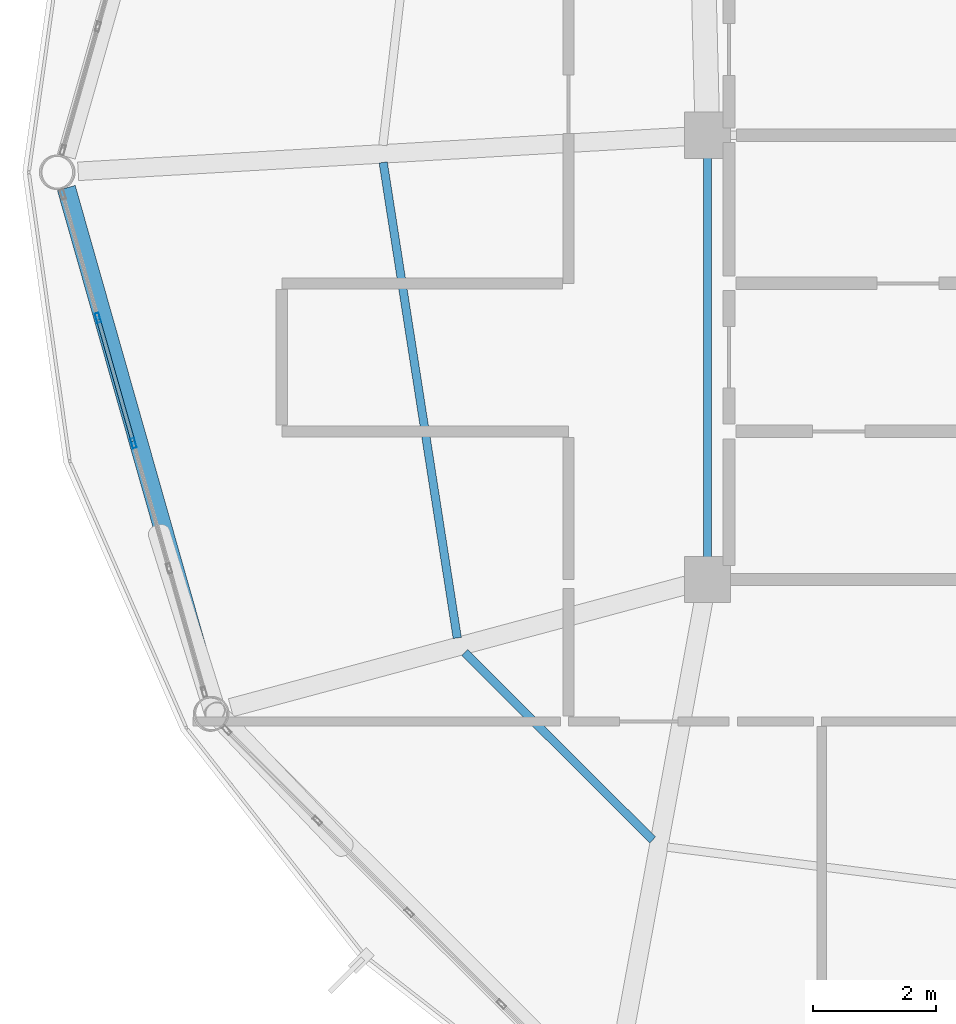
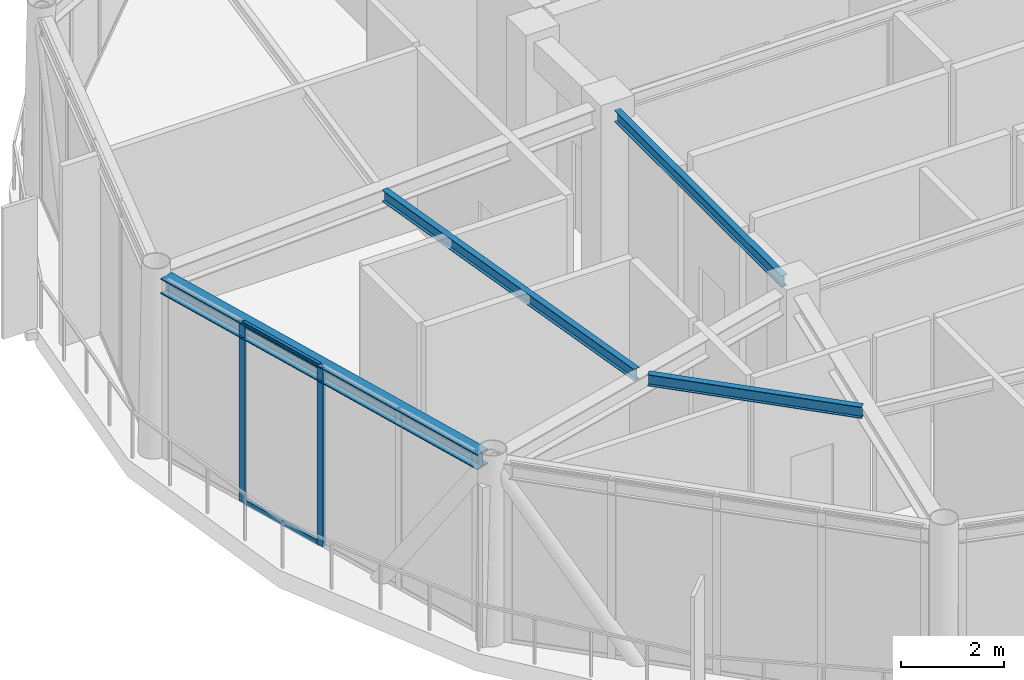
# One storey, part 5 of 26: 4 beams, 4 members, 1 element without a shape of its own.
"""IFC4 building model written with IfcOpenShell, lengths in metres."""

from ifc_helpers import new_model, si_unit, direction, frame, origin, origin_2d, place, context, subcontext, project, spatial, hollow_rectangle, i_section, extrude, material, layer, layer_set, material_profile, profile_set, type_object, element, aggregate, save


model = new_model("IFC4")

# Units and contexts
model_context = context("Model", 3, precision=1e-05, world=origin(), true_north=direction((0.0, 1.0)))
body_context = subcontext(model_context, "Body", "Model", "MODEL_VIEW")
ifc_project = project(units=[si_unit("LENGTHUNIT", "METRE"), si_unit("AREAUNIT", "SQUARE_METRE"), si_unit("VOLUMEUNIT", "CUBIC_METRE"), si_unit("PLANEANGLEUNIT", "RADIAN"), si_unit("MASSUNIT", "GRAM", prefix="KILO")], contexts=[model_context])

# Site, building, storey
site_placement = place(None, origin())
site = spatial("IfcSite", under=ifc_project, at=site_placement, CompositionType="ELEMENT")
building_placement = place(site_placement, origin())
building = spatial("IfcBuilding", under=site, at=building_placement, Name="Varnakorn Sky Granary", CompositionType="ELEMENT")
storey_placement = place(building_placement, frame((0.0, 0.0, 289.5)))
storey = spatial("IfcBuildingStorey", under=building, at=storey_placement, Name="L74", CompositionType="ELEMENT", Elevation=289.5)

# Beams
ifc_material_1 = material(Name="Steel S355JR", Category="steel")
ifc_material_profile_1 = material_profile(ifc_material_1, i_section(OverallWidth=0.135009765625, OverallDepth=0.27001953125, WebThickness=0.006591796875, FlangeThickness=0.01025390625, at=origin_2d()), Name="IPE 270")
ifc_profile_set_1 = profile_set([ifc_material_profile_1], Name="Steel S355JR")
beam_type_1 = type_object("IfcBeamType", Name="BM-SEC-Z5", PredefinedType="BEAM", material=ifc_profile_set_1)
beam_1_placement = place(storey_placement, frame((-7.605712890625, 0.1591796875, 4.125), z_axis=(0.153891750057, -0.988087713345, 0.0), x_axis=(0.988087713345, 0.153891750057, 0.0)))
element("IfcBeam", 1, at=beam_1_placement, inside=storey, type_object=beam_type_1, Name="Secondary Floor Chord Beam MSB07 L74", PredefinedType="BEAM", context=body_context, shape_type="SweptSolid", body=[
    extrude(i_section(OverallWidth=0.135009765625, OverallDepth=0.27001953125, WebThickness=0.006591796875, FlangeThickness=0.01025390625, at=origin_2d()), origin(), (0.0, 0.0, 1.0), 7.799072265625),
])
beam_2_placement = place(storey_placement, frame((-6.284912109375, -7.7841796875, 4.125), z_axis=(0.708127872413, -0.706084213329, 0.0), x_axis=(0.706084213329, 0.708127872413, 0.0)))
element("IfcBeam", 2, at=beam_2_placement, inside=storey, type_object=beam_type_1, Name="Secondary Floor Chord Beam MSB08 L74", PredefinedType="BEAM", context=body_context, shape_type="SweptSolid", body=[
    extrude(i_section(OverallWidth=0.135009765625, OverallDepth=0.27001953125, WebThickness=0.006591796875, FlangeThickness=0.01025390625, at=origin_2d()), origin(), (0.0, 0.0, 1.0), 4.300537109375),
])
beam_3_placement = place(storey_placement, frame((-2.35009765625, 0.2451171875, 4.125), z_axis=(0.0, -1.0, 0.0), x_axis=(1.0, 0.0, 0.0)))
element("IfcBeam", 3, at=beam_3_placement, inside=storey, type_object=beam_type_1, Name="Core Spine Framing Beam 3 L74", PredefinedType="BEAM", context=body_context, shape_type="SweptSolid", body=[
    extrude(i_section(OverallWidth=0.135009765625, OverallDepth=0.27001953125, WebThickness=0.006591796875, FlangeThickness=0.01025390625, at=origin_2d()), origin(), (0.0, 0.0, 1.0), 6.490234375),
])
ifc_material_profile_2 = material_profile(ifc_material_1, i_section(OverallWidth=0.300048828125, OverallDepth=0.360107421875, WebThickness=0.012451171875, FlangeThickness=0.0224609375, at=origin_2d()), Name="HE 360 B")
ifc_profile_set_2 = profile_set([ifc_material_profile_2], Name="Steel S355JR")
beam_type_2 = type_object("IfcBeamType", Name="BM-SPD-Z5", PredefinedType="SPANDREL", material=ifc_profile_set_2)
beam_4_placement = place(storey_placement, frame((-12.74169921875, -0.25439453125, 4.080078125), z_axis=(0.273109218008, -0.961983032615, 0.0), x_axis=(0.961983032615, 0.273109218008, 0.0)))
element("IfcBeam", 4, at=beam_4_placement, inside=storey, type_object=beam_type_2, Name="Perimeter Spandrel Ring Beam RB07 L74", PredefinedType="SPANDREL", context=body_context, shape_type="SweptSolid", body=[
    extrude(i_section(OverallWidth=0.300048828125, OverallDepth=0.360107421875, WebThickness=0.012451171875, FlangeThickness=0.0224609375, at=origin_2d()), origin(), (0.0, 0.0, 1.0), 8.56396484375),
])

# Curtain wall, members
ifc_material_2 = material(Name="Anodised Bronze Aluminium Alloy 6063-T6", Category="aluminium")
ifc_layer = layer(ifc_material_2, 0.159912109375, Name="Anodised Bronze Aluminium Alloy 6063-T6")
ifc_layer_set = layer_set([ifc_layer], Name="Anodised Bronze Aluminium Alloy 6063-T6")
curtain_wall_type = type_object("IfcCurtainWallType", Name="CW-OFF-1", PredefinedType="USERDEFINED", material=ifc_layer_set)
curtain_wall_placement = place(storey_placement, origin())
curtain_wall = element("IfcCurtainWall", 5, at=curtain_wall_placement, inside=storey, type_object=curtain_wall_type, Name="Unitised Curtain Wall CW6 CW-L74-B07", ObjectType="CURTAIN WALL", PredefinedType="USERDEFINED")
ifc_material_profile_3 = material_profile(ifc_material_2, hollow_rectangle(XDim=0.06494140625, YDim=0.159912109375, WallThickness=0.00341796875, at=origin_2d()), Name="ALU MULL 65x160")
ifc_profile_set_3 = profile_set([ifc_material_profile_3], Name="Anodised Bronze Aluminium Alloy 6063-T6")
member_type_1 = type_object("IfcMemberType", Name="CW-OFF-1-MULL", PredefinedType="MULLION", material=ifc_profile_set_3)
member_1_placement = place(storey_placement, frame((-11.652587890625, -4.391357421875, 0.0), z_axis=(0.0, 0.0, 1.0), x_axis=(-0.961937230884, -0.273270495734, 0.0)))
member_1 = element("IfcMember", 6, at=member_1_placement, type_object=member_type_1, Name="CW6 mullion 3", PredefinedType="MULLION", context=body_context, shape_type="SweptSolid", body=[
    extrude(hollow_rectangle(XDim=0.06494140625, YDim=0.159912109375, WallThickness=0.00341796875, at=origin_2d()), origin(), (0.0, 0.0, 1.0), 4.260009765625),
])
member_2_placement = place(storey_placement, frame((-12.229736328125, -2.35888671875, 0.0), z_axis=(0.0, 0.0, 1.0), x_axis=(-0.961937230884, -0.273270495734, 0.0)))
member_2 = element("IfcMember", 7, at=member_2_placement, type_object=member_type_1, Name="CW6 mullion 4", PredefinedType="MULLION", context=body_context, shape_type="SweptSolid", body=[
    extrude(hollow_rectangle(XDim=0.06494140625, YDim=0.159912109375, WallThickness=0.00341796875, at=origin_2d()), origin(), (0.0, 0.0, 1.0), 4.260009765625),
])
ifc_material_profile_4 = material_profile(ifc_material_2, hollow_rectangle(XDim=0.06494140625, YDim=0.1201171875, WallThickness=0.00341796875, at=origin_2d()), Name="ALU TRAN 65x120")
ifc_profile_set_4 = profile_set([ifc_material_profile_4], Name="Anodised Bronze Aluminium Alloy 6063-T6")
member_type_2 = type_object("IfcMemberType", Name="CW-OFF-1-TRAN", PredefinedType="USERDEFINED", material=ifc_profile_set_4)
member_3_placement = place(storey_placement, frame((-11.661376953125, -4.360107421875, 0.032470703125), z_axis=(-0.273240737193, 0.961945684297, 0.0), x_axis=(-0.961945684297, -0.273240737193, 0.0)))
member_3 = element("IfcMember", 8, at=member_3_placement, type_object=member_type_2, Name="CW6 transom 3.1", ObjectType="TRANSOM", PredefinedType="USERDEFINED", context=body_context, shape_type="SweptSolid", body=[
    extrude(hollow_rectangle(XDim=0.06494140625, YDim=0.1201171875, WallThickness=0.00341796875, at=origin_2d()), origin(), (0.0, 0.0, 1.0), 2.0478515625),
])
member_4_placement = place(storey_placement, frame((-11.661376953125, -4.360107421875, 4.2275390625), z_axis=(-0.273240737193, 0.961945684297, 0.0), x_axis=(-0.961945684297, -0.273240737193, 0.0)))
member_4 = element("IfcMember", 9, at=member_4_placement, type_object=member_type_2, Name="CW6 transom 3.2", ObjectType="TRANSOM", PredefinedType="USERDEFINED", context=body_context, shape_type="SweptSolid", body=[
    extrude(hollow_rectangle(XDim=0.06494140625, YDim=0.1201171875, WallThickness=0.00341796875, at=origin_2d()), origin(), (0.0, 0.0, 1.0), 2.0478515625),
])
aggregate(curtain_wall, [member_1, member_2, member_3, member_4])

save(model, "model.ifc")
